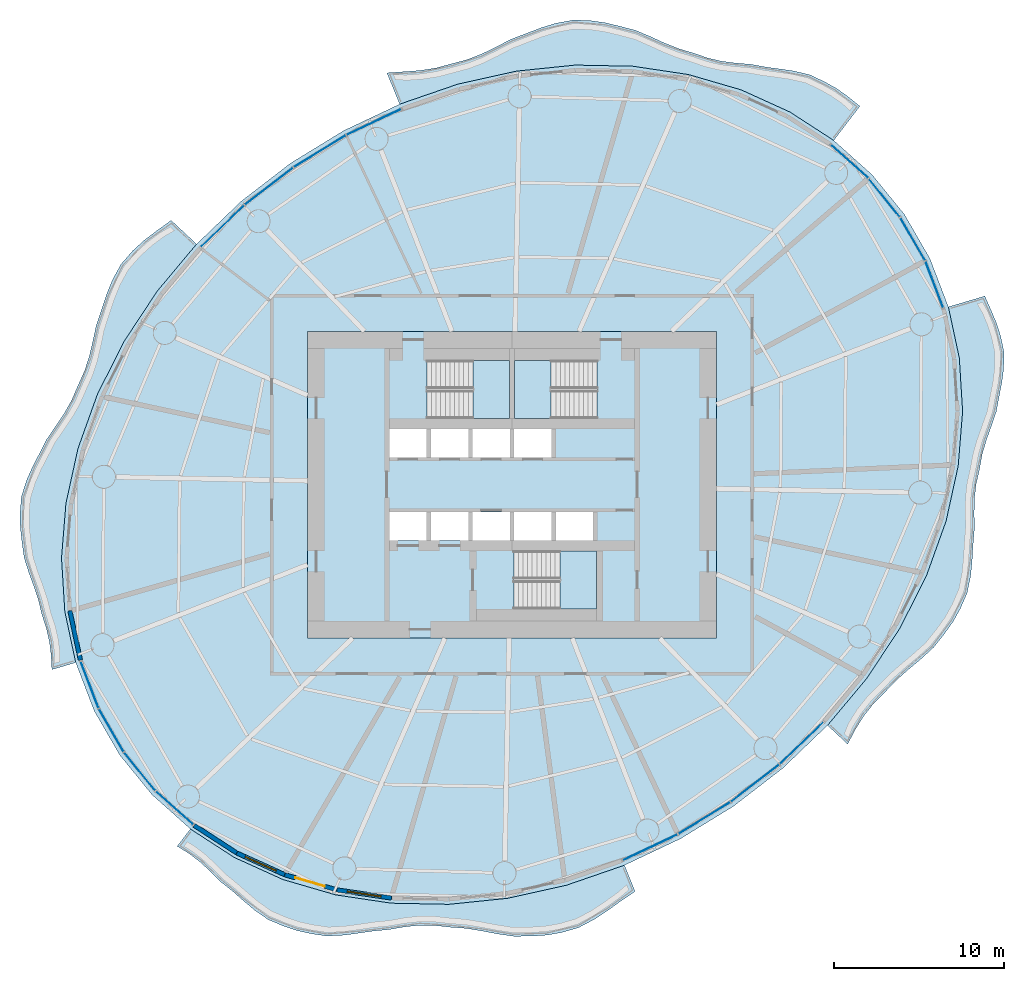
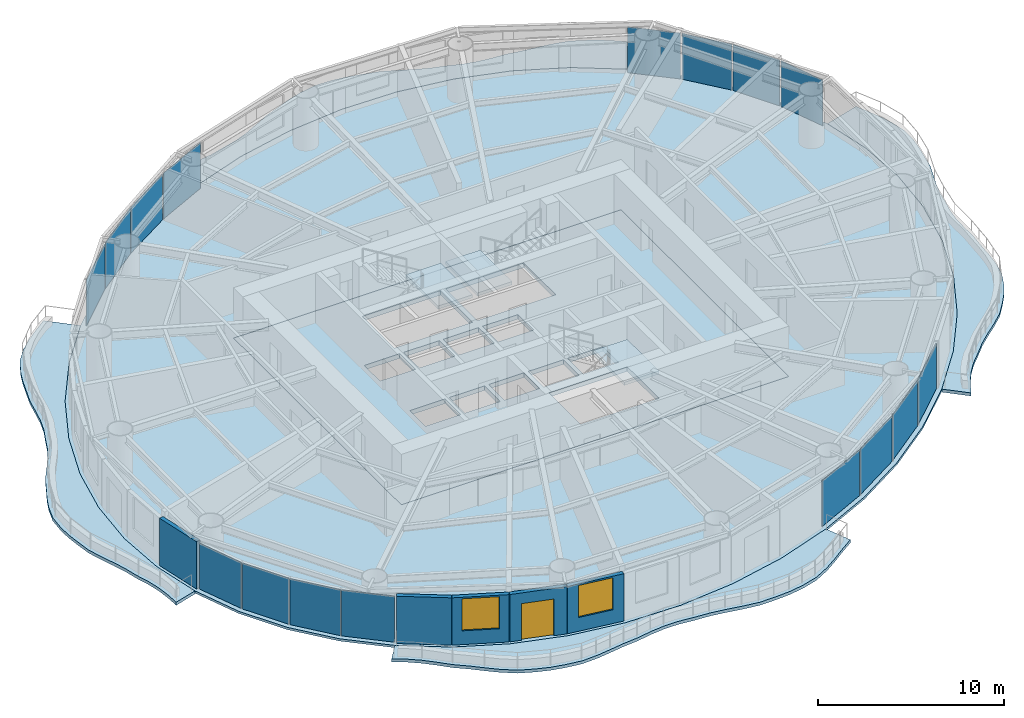
# One storey, part 7 of 14: 16 plates, 9 slabs, 5 walls, 2 windows, 1 door, 3 openings, 19 elements without a shape of their own.
"""IFC4 building model written with IfcOpenShell, lengths in metres."""

from ifc_helpers import new_model, si_unit, direction, frame, frame_2d, origin, origin_2d, place, context, subcontext, project, spatial, polyline, rectangle, outline, extrude, material, layer, layer_set, type_object, element, fill, aggregate, save


model = new_model("IFC4")

# Units and contexts
model_context = context("Model", 3, precision=1e-05, world=origin(), true_north=direction((0.0, 1.0)))
body_context = subcontext(model_context, "Body", "Model", "MODEL_VIEW")
ifc_project = project(units=[si_unit("LENGTHUNIT", "METRE"), si_unit("AREAUNIT", "SQUARE_METRE"), si_unit("VOLUMEUNIT", "CUBIC_METRE"), si_unit("PLANEANGLEUNIT", "RADIAN"), si_unit("MASSUNIT", "GRAM", prefix="KILO")], contexts=[model_context])

# Site, building, storey
site_placement = place(None, origin())
site = spatial("IfcSite", under=ifc_project, at=site_placement, CompositionType="ELEMENT")
building_placement = place(site_placement, origin())
building = spatial("IfcBuilding", under=site, at=building_placement, Name="Vermilion Reach Broadcast Tower", CompositionType="ELEMENT")
storey_placement = place(building_placement, frame((0.0, 0.0, 172.199951171875)))
storey = spatial("IfcBuildingStorey", under=building, at=storey_placement, Name="L41", CompositionType="ELEMENT", Elevation=172.199951171875)

# Slabs
ifc_material_1 = material(Name="Concrete C40/50", Category="concrete")
ifc_layer_1 = layer(ifc_material_1, 0.199951171875)
ifc_layer_set_1 = layer_set([ifc_layer_1], Name="Balcony slab 200")
slab_type_1 = type_object("IfcSlabType", Name="Balcony slab 200", PredefinedType="FLOOR", material=ifc_layer_set_1)
placement_1 = place(storey_placement, frame((0.0, 0.0, -0.199951171875)))
element("IfcSlab", 1, at=placement_1, inside=storey, type_object=slab_type_1, Name="Balcony slab L41 group 1", PredefinedType="FLOOR", context=body_context, shape_type="SweptSolid", body=[
    extrude(outline(polyline([(12.88330078125, 20.2099609375), (10.304443359375, 21.880859375), (7.446533203125, 23.17724609375), (4.358642578125, 24.076904296875), (1.09375, 24.56494140625), (-2.292724609375, 24.63232421875), (-5.74267578125, 24.2783203125), (-9.197021484375, 23.509033203125), (-12.5966796875, 22.33740234375), (-13.345458984375, 24.176025390625), (-12.3046875, 24.249267578125), (-11.378662109375, 24.3212890625), (-10.475830078125, 24.4609375), (-9.537841796875, 24.714599609375), (-8.61376953125, 24.960205078125), (-7.77978515625, 25.285400390625), (-6.962646484375, 25.685791015625), (-6.046875, 26.1552734375), (-5.1005859375, 26.51513671875), (-4.261962890625, 26.834228515625), (-3.416748046875, 27.09130859375), (-2.40185546875, 27.279052734375), (-1.393798828125, 27.245361328125), (-0.54931640625, 27.123046875), (0.293701171875, 26.923095703125), (1.27099609375, 26.667724609375), (2.18408203125, 26.278076171875), (2.965087890625, 25.92041015625), (3.75244140625, 25.60498046875), (4.636474609375, 25.343505859375), (5.48046875, 25.05224609375), (6.26416015625, 24.8671875), (7.070068359375, 24.759033203125), (8.00390625, 24.681884765625), (8.914794921875, 24.5146484375), (9.727783203125, 24.40771484375), (10.535400390625, 24.288818359375), (11.494873046875, 24.057861328125), (12.361572265625, 23.643310546875), (13.0341796875, 23.2685546875), (13.66455078125, 22.82861328125), (14.41796875, 22.2197265625), (12.88330078125, 20.2099609375)])), origin(), (0.0, 0.0, 1.0), 0.199951171875),
])
element("IfcSlab", 2, at=placement_1, inside=storey, type_object=slab_type_1, Name="Balcony slab L41 group 2", PredefinedType="FLOOR", context=body_context, shape_type="SweptSolid", body=[
    extrude(outline(polyline([(-24.519287109375, 14.124755859375), (-26.82568359375, 11.365966796875), (-28.775634765625, 8.412841796875), (-30.3359375, 5.3154296875), (-31.47998046875, 2.12744140625), (-32.187744140625, -1.09716796875), (-32.44775390625, -4.302978515625), (-32.2548828125, -7.43505859375), (-31.613037109375, -10.43994140625), (-33.013671875, -10.8544921875), (-33.06494140625, -9.964599609375), (-33.1611328125, -9.19970703125), (-33.3330078125, -8.450927734375), (-33.600341796875, -7.619140625), (-33.812255859375, -6.744873046875), (-34.06884765625, -5.974609375), (-34.351806640625, -5.2060546875), (-34.643798828125, -4.281494140625), (-34.77685546875, -3.307373046875), (-34.867431640625, -2.493408203125), (-34.88427734375, -1.685302734375), (-34.802978515625, -0.7060546875), (-34.50048828125, 0.255615234375), (-34.161376953125, 1.026123046875), (-33.76806640625, 1.78466796875), (-33.32177734375, 2.65771484375), (-32.759033203125, 3.486083984375), (-32.2744140625, 4.211669921875), (-31.852783203125, 4.960205078125), (-31.4873046875, 5.809814453125), (-31.097900390625, 6.670166015625), (-30.826171875, 7.504150390625), (-30.62109375, 8.37158203125), (-30.406982421875, 9.35791015625), (-30.081787109375, 10.33544921875), (-29.79296875, 11.204833984375), (-29.450439453125, 12.038818359375), (-28.950439453125, 12.94775390625), (-28.262939453125, 13.7392578125), (-27.5927734375, 14.3505859375), (-26.85791015625, 14.907958984375), (-26.010986328125, 15.517578125), (-24.519287109375, 14.124755859375)])), origin(), (0.0, 0.0, 1.0), 0.199951171875),
])
element("IfcSlab", 3, at=placement_1, inside=storey, type_object=slab_type_1, Name="Balcony slab L41 group 3", PredefinedType="FLOOR", context=body_context, shape_type="SweptSolid", body=[
    extrude(outline(polyline([(-24.88330078125, -20.2099609375), (-22.304443359375, -21.880859375), (-19.446533203125, -23.17724609375), (-16.358642578125, -24.076904296875), (-13.09375, -24.56494140625), (-9.707275390625, -24.63232421875), (-6.25732421875, -24.2783203125), (-2.802978515625, -23.509033203125), (0.5966796875, -22.33740234375), (1.223876953125, -23.87744140625), (0.374267578125, -24.451171875), (-0.387939453125, -24.99853515625), (-1.162353515625, -25.5107421875), (-2.09814453125, -26.002197265625), (-3.090576171875, -26.287353515625), (-3.962890625, -26.4404296875), (-4.856201171875, -26.498779296875), (-5.8955078125, -26.510986328125), (-6.915283203125, -26.3603515625), (-7.804443359375, -26.1884765625), (-8.690673828125, -26.0458984375), (-9.65185546875, -25.973876953125), (-10.578857421875, -25.872314453125), (-11.42578125, -25.8662109375), (-12.2744140625, -25.951904296875), (-13.224365234375, -26.114013671875), (-14.1728515625, -26.203125), (-15.026123046875, -26.32861328125), (-15.8779296875, -26.44384765625), (-16.888916015625, -26.493896484375), (-17.857666015625, -26.346923828125), (-18.64404296875, -26.1708984375), (-19.40625, -25.912841796875), (-20.317138671875, -25.52734375), (-21.12060546875, -24.96826171875), (-21.743896484375, -24.443115234375), (-22.35986328125, -23.90234375), (-23.09130859375, -23.31982421875), (-23.736083984375, -22.677734375), (-24.308837890625, -22.149169921875), (-24.920166015625, -21.6796875), (-25.656005859375, -21.221923828125), (-24.88330078125, -20.2099609375)])), origin(), (0.0, 0.0, 1.0), 0.199951171875),
])
element("IfcSlab", 4, at=placement_1, inside=storey, type_object=slab_type_1, Name="Balcony slab L41 group 4", PredefinedType="FLOOR", context=body_context, shape_type="SweptSolid", body=[
    extrude(outline(polyline([(12.519287109375, -14.124755859375), (14.82568359375, -11.365966796875), (16.775634765625, -8.412841796875), (18.3359375, -5.3154296875), (19.47998046875, -2.12744140625), (20.187744140625, 1.09716796875), (20.44775390625, 4.302978515625), (20.2548828125, 7.43505859375), (19.613037109375, 10.43994140625), (21.751708984375, 11.072998046875), (22.140625, 10.1943359375), (22.442138671875, 9.473388671875), (22.677001953125, 8.738037109375), (22.877685546875, 7.7939453125), (22.85791015625, 6.809326171875), (22.75537109375, 6.016845703125), (22.599853515625, 5.221435546875), (22.423583984375, 4.28369140625), (22.106201171875, 3.36181640625), (21.8271484375, 2.57763671875), (21.600830078125, 1.789306640625), (21.4404296875, 0.90966796875), (21.24072265625, 0.02099609375), (21.146240234375, -0.80322265625), (21.12744140625, -1.64404296875), (21.140625, -2.60546875), (21.056884765625, -3.5927734375), (21.0068359375, -4.474609375), (20.921142578125, -5.343505859375), (20.719482421875, -6.3388671875), (20.31201171875, -7.28173828125), (19.887451171875, -8.038818359375), (19.379638671875, -8.753662109375), (18.7451171875, -9.5537109375), (17.96923828125, -10.260986328125), (17.2587890625, -10.85205078125), (16.5732421875, -11.459716796875), (15.900146484375, -12.165771484375), (15.211669921875, -12.8603515625), (14.65234375, -13.564697265625), (14.171875, -14.33447265625), (13.6982421875, -15.2255859375), (12.519287109375, -14.124755859375)])), origin(), (0.0, 0.0, 1.0), 0.199951171875),
])
ifc_material_2 = material(Name="Concrete C40", Category="concrete")
ifc_layer_2 = layer(ifc_material_2, 0.300048828125)
ifc_layer_set_2 = layer_set([ifc_layer_2], Name="Core floor slab 300 mm Concrete C40")
slab_type_2 = type_object("IfcSlabType", Name="Core floor slab 300 mm Concrete C40", PredefinedType="FLOOR", material=ifc_layer_set_2)
slab_5_placement = place(storey_placement, frame((0.0, 0.0, -0.300048828125)))
element("IfcSlab", 5, at=slab_5_placement, inside=storey, type_object=slab_type_2, Name="L41 core floor", PredefinedType="FLOOR", context=body_context, shape_type="SweptSolid", body=[
    extrude(outline(polyline([(-18.0, -9.0), (6.0, -9.0), (6.0, 9.0), (-18.0, 9.0), (-18.0, -9.0)]), holes=[polyline([(-13.199951171875, 1.60009765625), (-11.00830078125, 1.60009765625), (-11.00830078125, 3.280029296875), (-13.199951171875, 3.280029296875), (-13.199951171875, 1.60009765625)]), polyline([(-10.75830078125, 1.60009765625), (-8.566650390625, 1.60009765625), (-8.566650390625, 3.280029296875), (-10.75830078125, 3.280029296875), (-10.75830078125, 1.60009765625)]), polyline([(-8.316650390625, 1.60009765625), (-6.125, 1.60009765625), (-6.125, 3.280029296875), (-8.316650390625, 3.280029296875), (-8.316650390625, 1.60009765625)]), polyline([(-5.875, 1.60009765625), (-3.683349609375, 1.60009765625), (-3.683349609375, 3.280029296875), (-5.875, 3.280029296875), (-5.875, 1.60009765625)]), polyline([(-13.199951171875, -3.280029296875), (-11.00830078125, -3.280029296875), (-11.00830078125, -1.60009765625), (-13.199951171875, -1.60009765625), (-13.199951171875, -3.280029296875)]), polyline([(-10.75830078125, -3.280029296875), (-8.566650390625, -3.280029296875), (-8.566650390625, -1.60009765625), (-10.75830078125, -1.60009765625), (-10.75830078125, -3.280029296875)]), polyline([(-8.316650390625, -3.280029296875), (-6.125, -3.280029296875), (-6.125, -1.60009765625), (-8.316650390625, -1.60009765625), (-8.316650390625, -3.280029296875)]), polyline([(-5.875, -3.280029296875), (-3.683349609375, -3.280029296875), (-3.683349609375, -1.60009765625), (-5.875, -1.60009765625), (-5.875, -3.280029296875)]), polyline([(-3.433349609375, -3.280029296875), (-1.24169921875, -3.280029296875), (-1.24169921875, -1.60009765625), (-3.433349609375, -1.60009765625), (-3.433349609375, -3.280029296875)]), polyline([(-10.999267578125, 3.8798828125), (-6.14990234375, 3.8798828125), (-6.14990234375, 7.300048828125), (-10.999267578125, 7.300048828125), (-10.999267578125, 3.8798828125)]), polyline([(-1.000732421875, 7.300048828125), (-5.85009765625, 7.300048828125), (-5.85009765625, 3.8798828125), (-1.000732421875, 3.8798828125), (-1.000732421875, 7.300048828125)]), polyline([(-5.8994140625, -7.300048828125), (-1.050048828125, -7.300048828125), (-1.050048828125, -3.8798828125), (-5.8994140625, -3.8798828125), (-5.8994140625, -7.300048828125)])]), origin(), (0.0, 0.0, 1.0), 0.300048828125),
])

# Stair, slab
ifc_material_3 = material(Name="Concrete C40", Category="concrete")
stair_type = type_object("IfcStairType", Name="Exit stair RC 22 risers 164 mm", PredefinedType="HALF_TURN_STAIR", material=ifc_material_3)
placement_2 = place(storey_placement, origin())
stair_1 = element("IfcStair", 6, at=placement_2, inside=storey, type_object=stair_type, Name="L41 Exit stair ST1", PredefinedType="HALF_TURN_STAIR")
ifc_material_4 = material(Name="Concrete C40", Category="concrete")
ifc_layer_3 = layer(ifc_material_4, 0.199951171875)
ifc_layer_set_3 = layer_set([ifc_layer_3], Name="Exit stair landing Concrete C40")
slab_type_3 = type_object("IfcSlabType", Name="Exit stair landing Concrete C40", PredefinedType="LANDING", material=ifc_layer_set_3)
placement_3 = place(storey_placement, frame((0.0, 0.0, 1.60009765625)))
slab_6 = element("IfcSlab", 7, at=placement_3, type_object=slab_type_3, Name="ST1 landing 1", PredefinedType="LANDING", context=body_context, shape_type="SweptSolid", body=[
    extrude(outline(polyline([(-8.300048828125, 3.8798828125), (-6.14990234375, 3.8798828125), (-6.14990234375, 7.300048828125), (-8.300048828125, 7.300048828125), (-8.300048828125, 3.8798828125)])), origin(), (0.0, 0.0, 1.0), 0.199951171875),
])
aggregate(stair_1, [slab_6])

stair_2 = element("IfcStair", 8, at=placement_2, inside=storey, type_object=stair_type, Name="L41 Exit stair ST2", PredefinedType="HALF_TURN_STAIR")
slab_7 = element("IfcSlab", 9, at=placement_3, type_object=slab_type_3, Name="ST2 landing 1", PredefinedType="LANDING", context=body_context, shape_type="SweptSolid", body=[
    extrude(outline(polyline([(-3.699951171875, 7.300048828125), (-5.85009765625, 7.300048828125), (-5.85009765625, 3.8798828125), (-3.699951171875, 3.8798828125), (-3.699951171875, 7.300048828125)])), origin(), (0.0, 0.0, 1.0), 0.199951171875),
])
aggregate(stair_2, [slab_7])

stair_3 = element("IfcStair", 10, at=placement_2, inside=storey, type_object=stair_type, Name="L41 Exit stair ST3", PredefinedType="HALF_TURN_STAIR")
slab_8 = element("IfcSlab", 11, at=placement_3, type_object=slab_type_3, Name="ST3 landing 1", PredefinedType="LANDING", context=body_context, shape_type="SweptSolid", body=[
    extrude(outline(polyline([(-3.199951171875, -7.300048828125), (-1.050048828125, -7.300048828125), (-1.050048828125, -3.8798828125), (-3.199951171875, -3.8798828125), (-3.199951171875, -7.300048828125)])), origin(), (0.0, 0.0, 1.0), 0.199951171875),
])
aggregate(stair_3, [slab_8])

# Slab
ifc_material_5 = material(Name="Concrete C40", Category="concrete")
ifc_layer_4 = layer(ifc_material_5, 0.14990234375)
ifc_layer_set_4 = layer_set([ifc_layer_4], Name="Floor slab Concrete C40 composite 150")
slab_type_4 = type_object("IfcSlabType", Name="Floor slab Concrete C40 composite 150", PredefinedType="FLOOR", material=ifc_layer_set_4)
slab_9_placement = place(storey_placement, frame((0.0, 0.0, -0.14990234375)))
element("IfcSlab", 12, at=slab_9_placement, inside=storey, type_object=slab_type_4, Name="Floor slab L41", PredefinedType="FLOOR", context=body_context, shape_type="SweptSolid", body=[
    extrude(outline(polyline([(17.032958984375, 15.86572265625), (15.138916015625, 18.193603515625), (12.88330078125, 20.2099609375), (10.304443359375, 21.880859375), (7.446533203125, 23.17724609375), (4.358642578125, 24.076904296875), (1.09375, 24.56494140625), (-2.292724609375, 24.63232421875), (-5.74267578125, 24.2783203125), (-9.197021484375, 23.509033203125), (-12.5966796875, 22.33740234375), (-15.88330078125, 20.78369140625), (-19.0009765625, 18.874267578125), (-21.896240234375, 16.641845703125), (-24.519287109375, 14.124755859375), (-26.82568359375, 11.365966796875), (-28.775634765625, 8.412841796875), (-30.3359375, 5.3154296875), (-31.47998046875, 2.12744140625), (-32.187744140625, -1.09716796875), (-32.44775390625, -4.302978515625), (-32.2548828125, -7.43505859375), (-31.613037109375, -10.43994140625), (-30.532958984375, -13.266357421875), (-29.032958984375, -15.86572265625), (-27.138916015625, -18.193603515625), (-24.88330078125, -20.2099609375), (-22.304443359375, -21.880859375), (-19.446533203125, -23.17724609375), (-16.358642578125, -24.076904296875), (-13.09375, -24.56494140625), (-9.707275390625, -24.63232421875), (-6.25732421875, -24.2783203125), (-2.802978515625, -23.509033203125), (0.5966796875, -22.33740234375), (3.88330078125, -20.78369140625), (7.0009765625, -18.874267578125), (9.896240234375, -16.641845703125), (12.519287109375, -14.124755859375), (14.82568359375, -11.365966796875), (16.775634765625, -8.412841796875), (18.3359375, -5.3154296875), (19.47998046875, -2.12744140625), (20.187744140625, 1.09716796875), (20.44775390625, 4.302978515625), (20.2548828125, 7.43505859375), (19.613037109375, 10.43994140625), (18.532958984375, 13.266357421875), (17.032958984375, 15.86572265625)]), holes=[polyline([(-18.0, -9.0), (6.0, -9.0), (6.0, 9.0), (-18.0, 9.0), (-18.0, -9.0)])]), origin(), (0.0, 0.0, 1.0), 0.14990234375),
])

# Curtain wall, plate
ifc_material_6 = material(Name="Low-e laminated clear glass in aluminium frame", Category="aluminium")
curtain_wall_type = type_object("IfcCurtainWallType", Name="Slot curtain wall", PredefinedType="NOTDEFINED", material=ifc_material_6)
curtain_wall_1 = element("IfcCurtainWall", 13, at=placement_2, inside=storey, type_object=curtain_wall_type, Name="Slot curtain wall L41 46", PredefinedType="NOTDEFINED")
ifc_material_7 = material(Name="Low-e laminated clear glass", Category="glass")
ifc_layer_5 = layer(ifc_material_7, 0.028076171875)
ifc_layer_set_5 = layer_set([ifc_layer_5], Name="Slot glass panel")
plate_type = type_object("IfcPlateType", Name="Slot glass panel", PredefinedType="CURTAIN_PANEL", material=ifc_layer_set_5)
plate_1_placement = place(storey_placement, frame((18.793701171875, 11.746337890625, 0.0), z_axis=(0.0, 0.0, 1.0), x_axis=(-0.356990324616, 0.934108081611, 0.0)))
plate_1 = element("IfcPlate", 14, at=plate_1_placement, type_object=plate_type, Name="Slot glass panel L41 46", PredefinedType="CURTAIN_PANEL", context=body_context, shape_type="SweptSolid", body=[
    extrude(rectangle(XDim=2.898681640625, YDim=0.028076171875, at=origin_2d()), origin(), (0.0, 0.0, 1.0), 3.0),
])
aggregate(curtain_wall_1, [plate_1])

curtain_wall_2 = element("IfcCurtainWall", 15, at=placement_2, inside=storey, type_object=curtain_wall_type, Name="Slot curtain wall L41 47", PredefinedType="NOTDEFINED")
plate_2_placement = place(storey_placement, frame((17.52392578125, 14.41650390625, 0.0), z_axis=(0.0, 0.0, 1.0), x_axis=(-0.499799808945, 0.866140953297, 0.0)))
plate_2 = element("IfcPlate", 16, at=plate_2_placement, type_object=plate_type, Name="Slot glass panel L41 47", PredefinedType="CURTAIN_PANEL", context=body_context, shape_type="SweptSolid", body=[
    extrude(rectangle(XDim=2.873291015625, YDim=0.028076171875, at=origin_2d()), origin(), (0.0, 0.0, 1.0), 3.0),
])
aggregate(curtain_wall_2, [plate_2])

curtain_wall_3 = element("IfcCurtainWall", 17, at=placement_2, inside=storey, type_object=curtain_wall_type, Name="Slot curtain wall L41 00", PredefinedType="NOTDEFINED")
plate_3_placement = place(storey_placement, frame((15.85400390625, 16.8408203125, 0.0), z_axis=(0.0, 0.0, 1.0), x_axis=(-0.63112595777, 0.775680362926, 0.0)))
plate_3 = element("IfcPlate", 18, at=plate_3_placement, type_object=plate_type, Name="Slot glass panel L41 00", PredefinedType="CURTAIN_PANEL", context=body_context, shape_type="SweptSolid", body=[
    extrude(rectangle(XDim=2.873291015625, YDim=0.028076171875, at=origin_2d()), origin(), (0.0, 0.0, 1.0), 3.0),
])
aggregate(curtain_wall_3, [plate_3])

curtain_wall_4 = element("IfcCurtainWall", 19, at=placement_2, inside=storey, type_object=curtain_wall_type, Name="Slot curtain wall L41 01", PredefinedType="NOTDEFINED")
plate_4_placement = place(storey_placement, frame((13.811767578125, 18.97900390625, 0.0), z_axis=(0.0, 0.0, 1.0), x_axis=(-0.74552877126, 0.666473443749, 0.0)))
plate_4 = element("IfcPlate", 20, at=plate_4_placement, type_object=plate_type, Name="Slot glass panel L41 01", PredefinedType="CURTAIN_PANEL", context=body_context, shape_type="SweptSolid", body=[
    extrude(rectangle(XDim=2.898681640625, YDim=0.028076171875, at=origin_2d()), origin(), (0.0, 0.0, 1.0), 3.0),
])
aggregate(curtain_wall_4, [plate_4])

curtain_wall_5 = element("IfcCurtainWall", 21, at=placement_2, inside=storey, type_object=curtain_wall_type, Name="Slot curtain wall L41 10", PredefinedType="NOTDEFINED")
plate_5_placement = place(storey_placement, frame((-14.112060546875, 21.289794921875, 0.0), z_axis=(0.0, 0.0, 1.0), x_axis=(-0.904064244701, -0.427396585683, 0.0)))
plate_5 = element("IfcPlate", 22, at=plate_5_placement, type_object=plate_type, Name="Slot glass panel L41 10", PredefinedType="CURTAIN_PANEL", context=body_context, shape_type="SweptSolid", body=[
    extrude(rectangle(XDim=3.52294921875, YDim=0.028076171875, at=origin_2d()), origin(), (0.0, 0.0, 1.0), 3.0),
])
aggregate(curtain_wall_5, [plate_5])

curtain_wall_6 = element("IfcCurtainWall", 23, at=placement_2, inside=storey, type_object=curtain_wall_type, Name="Slot curtain wall L41 11", PredefinedType="NOTDEFINED")
plate_6_placement = place(storey_placement, frame((-17.285888671875, 19.573486328125, 0.0), z_axis=(0.0, 0.0, 1.0), x_axis=(-0.852770822103, -0.522285290785, 0.0)))
plate_6 = element("IfcPlate", 24, at=plate_6_placement, type_object=plate_type, Name="Slot glass panel L41 11", PredefinedType="CURTAIN_PANEL", context=body_context, shape_type="SweptSolid", body=[
    extrude(rectangle(XDim=3.543701171875, YDim=0.028076171875, at=origin_2d()), origin(), (0.0, 0.0, 1.0), 3.0),
])
aggregate(curtain_wall_6, [plate_6])

curtain_wall_7 = element("IfcCurtainWall", 25, at=placement_2, inside=storey, type_object=curtain_wall_type, Name="Slot curtain wall L41 12", PredefinedType="NOTDEFINED")
plate_7_placement = place(storey_placement, frame((-20.265625, 17.520751953125, 0.0), z_axis=(0.0, 0.0, 1.0), x_axis=(-0.791923872526, -0.610619832731, 0.0)))
plate_7 = element("IfcPlate", 26, at=plate_7_placement, type_object=plate_type, Name="Slot glass panel L41 12", PredefinedType="CURTAIN_PANEL", context=body_context, shape_type="SweptSolid", body=[
    extrude(rectangle(XDim=3.543701171875, YDim=0.028076171875, at=origin_2d()), origin(), (0.0, 0.0, 1.0), 3.0),
])
aggregate(curtain_wall_7, [plate_7])

curtain_wall_8 = element("IfcCurtainWall", 27, at=placement_2, inside=storey, type_object=curtain_wall_type, Name="Slot curtain wall L41 13", PredefinedType="NOTDEFINED")
plate_8_placement = place(storey_placement, frame((-23.000244140625, 15.167236328125, 0.0), z_axis=(0.0, 0.0, 1.0), x_axis=(-0.721548369637, -0.692364030171, 0.0)))
plate_8 = element("IfcPlate", 28, at=plate_8_placement, type_object=plate_type, Name="Slot glass panel L41 13", PredefinedType="CURTAIN_PANEL", context=body_context, shape_type="SweptSolid", body=[
    extrude(rectangle(XDim=3.52294921875, YDim=0.028076171875, at=origin_2d()), origin(), (0.0, 0.0, 1.0), 3.0),
])
aggregate(curtain_wall_8, [plate_8])

curtain_wall_9 = element("IfcCurtainWall", 29, at=placement_2, inside=storey, type_object=curtain_wall_type, Name="Slot curtain wall L41 22", PredefinedType="NOTDEFINED")
plate_9_placement = place(storey_placement, frame((-30.793701171875, -11.746337890625, 0.0), z_axis=(0.0, 0.0, 1.0), x_axis=(0.356990324616, -0.934108081611, 0.0)))
plate_9 = element("IfcPlate", 30, at=plate_9_placement, type_object=plate_type, Name="Slot glass panel L41 22", PredefinedType="CURTAIN_PANEL", context=body_context, shape_type="SweptSolid", body=[
    extrude(rectangle(XDim=2.898681640625, YDim=0.028076171875, at=origin_2d()), origin(), (0.0, 0.0, 1.0), 3.0),
])
aggregate(curtain_wall_9, [plate_9])

curtain_wall_10 = element("IfcCurtainWall", 31, at=placement_2, inside=storey, type_object=curtain_wall_type, Name="Slot curtain wall L41 23", PredefinedType="NOTDEFINED")
plate_10_placement = place(storey_placement, frame((-29.52392578125, -14.41650390625, 0.0), z_axis=(0.0, 0.0, 1.0), x_axis=(0.499799808945, -0.866140953297, 0.0)))
plate_10 = element("IfcPlate", 32, at=plate_10_placement, type_object=plate_type, Name="Slot glass panel L41 23", PredefinedType="CURTAIN_PANEL", context=body_context, shape_type="SweptSolid", body=[
    extrude(rectangle(XDim=2.873291015625, YDim=0.028076171875, at=origin_2d()), origin(), (0.0, 0.0, 1.0), 3.0),
])
aggregate(curtain_wall_10, [plate_10])

curtain_wall_11 = element("IfcCurtainWall", 33, at=placement_2, inside=storey, type_object=curtain_wall_type, Name="Slot curtain wall L41 24", PredefinedType="NOTDEFINED")
plate_11_placement = place(storey_placement, frame((-27.85400390625, -16.8408203125, 0.0), z_axis=(0.0, 0.0, 1.0), x_axis=(0.63112595777, -0.775680362926, 0.0)))
plate_11 = element("IfcPlate", 34, at=plate_11_placement, type_object=plate_type, Name="Slot glass panel L41 24", PredefinedType="CURTAIN_PANEL", context=body_context, shape_type="SweptSolid", body=[
    extrude(rectangle(XDim=2.873291015625, YDim=0.028076171875, at=origin_2d()), origin(), (0.0, 0.0, 1.0), 3.0),
])
aggregate(curtain_wall_11, [plate_11])

curtain_wall_12 = element("IfcCurtainWall", 35, at=placement_2, inside=storey, type_object=curtain_wall_type, Name="Slot curtain wall L41 25", PredefinedType="NOTDEFINED")
plate_12_placement = place(storey_placement, frame((-25.811767578125, -18.97900390625, 0.0), z_axis=(0.0, 0.0, 1.0), x_axis=(0.74552877126, -0.666473443749, 0.0)))
plate_12 = element("IfcPlate", 36, at=plate_12_placement, type_object=plate_type, Name="Slot glass panel L41 25", PredefinedType="CURTAIN_PANEL", context=body_context, shape_type="SweptSolid", body=[
    extrude(rectangle(XDim=2.898681640625, YDim=0.028076171875, at=origin_2d()), origin(), (0.0, 0.0, 1.0), 3.0),
])
aggregate(curtain_wall_12, [plate_12])

curtain_wall_13 = element("IfcCurtainWall", 37, at=placement_2, inside=storey, type_object=curtain_wall_type, Name="Slot curtain wall L41 34", PredefinedType="NOTDEFINED")
plate_13_placement = place(storey_placement, frame((2.112060546875, -21.289794921875, 0.0), z_axis=(0.0, 0.0, 1.0), x_axis=(0.904064244701, 0.427396585683, 0.0)))
plate_13 = element("IfcPlate", 38, at=plate_13_placement, type_object=plate_type, Name="Slot glass panel L41 34", PredefinedType="CURTAIN_PANEL", context=body_context, shape_type="SweptSolid", body=[
    extrude(rectangle(XDim=3.52294921875, YDim=0.028076171875, at=origin_2d()), origin(), (0.0, 0.0, 1.0), 3.0),
])
aggregate(curtain_wall_13, [plate_13])

curtain_wall_14 = element("IfcCurtainWall", 39, at=placement_2, inside=storey, type_object=curtain_wall_type, Name="Slot curtain wall L41 35", PredefinedType="NOTDEFINED")
plate_14_placement = place(storey_placement, frame((5.285888671875, -19.573486328125, 0.0), z_axis=(0.0, 0.0, 1.0), x_axis=(0.852770822103, 0.522285290785, 0.0)))
plate_14 = element("IfcPlate", 40, at=plate_14_placement, type_object=plate_type, Name="Slot glass panel L41 35", PredefinedType="CURTAIN_PANEL", context=body_context, shape_type="SweptSolid", body=[
    extrude(rectangle(XDim=3.543701171875, YDim=0.028076171875, at=origin_2d()), origin(), (0.0, 0.0, 1.0), 3.0),
])
aggregate(curtain_wall_14, [plate_14])

curtain_wall_15 = element("IfcCurtainWall", 41, at=placement_2, inside=storey, type_object=curtain_wall_type, Name="Slot curtain wall L41 36", PredefinedType="NOTDEFINED")
plate_15_placement = place(storey_placement, frame((8.265625, -17.520751953125, 0.0), z_axis=(0.0, 0.0, 1.0), x_axis=(0.791923872526, 0.610619832731, 0.0)))
plate_15 = element("IfcPlate", 42, at=plate_15_placement, type_object=plate_type, Name="Slot glass panel L41 36", PredefinedType="CURTAIN_PANEL", context=body_context, shape_type="SweptSolid", body=[
    extrude(rectangle(XDim=3.543701171875, YDim=0.028076171875, at=origin_2d()), origin(), (0.0, 0.0, 1.0), 3.0),
])
aggregate(curtain_wall_15, [plate_15])

curtain_wall_16 = element("IfcCurtainWall", 43, at=placement_2, inside=storey, type_object=curtain_wall_type, Name="Slot curtain wall L41 37", PredefinedType="NOTDEFINED")
plate_16_placement = place(storey_placement, frame((11.000244140625, -15.167236328125, 0.0), z_axis=(0.0, 0.0, 1.0), x_axis=(0.721548369637, 0.692364030171, 0.0)))
plate_16 = element("IfcPlate", 44, at=plate_16_placement, type_object=plate_type, Name="Slot glass panel L41 37", PredefinedType="CURTAIN_PANEL", context=body_context, shape_type="SweptSolid", body=[
    extrude(rectangle(XDim=3.52294921875, YDim=0.028076171875, at=origin_2d()), origin(), (0.0, 0.0, 1.0), 3.0),
])
aggregate(curtain_wall_16, [plate_16])

# Walls
ifc_material_8 = material(Name="Terracotta rainscreen cladding", Category="masonry")
ifc_layer_6 = layer(ifc_material_8, 0.25)
ifc_layer_set_6 = layer_set([ifc_layer_6], Name="Terracotta rainscreen wall 250")
wall_type = type_object("IfcWallType", Name="Terracotta rainscreen wall 250", PredefinedType="SOLIDWALL", material=ifc_layer_set_6)
for number, where, z_axis, x_axis, name in (
    (45, (-31.954833984375, -7.40771484375, 0.0), (0.0, 0.0, 1.0), (0.208841558972, -0.977949489108, 0.0), "External wall L41 21"),
    (46, (-24.655029296875, -20.00146484375, 0.0), (0.0, 0.0, 1.0), (0.839240151474, -0.543760947617, 0.0), "External wall L41 26"),
):
    element("IfcWall", number, at=place(storey_placement, frame(where, z_axis=z_axis, x_axis=x_axis)), inside=storey, type_object=wall_type, Name=name, PredefinedType="SOLIDWALL", context=body_context, shape_type="SweptSolid", body=[
        extrude(rectangle(XDim=2.958740234375, YDim=0.25, at=frame_2d((1.4794921875, 0.0))), origin(), (0.0, 0.0, 1.0), 3.10009765625),
    ])

# Wall, opening, window
wall_1_placement = place(storey_placement, frame((-22.1484375, -21.623046875, 0.0), z_axis=(0.0, 0.0, 1.0), x_axis=(0.910690505436, -0.41308934059, 0.0)))
wall_1 = element("IfcWall", 47, at=wall_1_placement, inside=storey, type_object=wall_type, Name="External wall L41 27", PredefinedType="SOLIDWALL", context=body_context, shape_type="SweptSolid", body=[
    extrude(rectangle(XDim=3.06787109375, YDim=0.25, at=frame_2d((1.533935546875, 0.0))), origin(), (0.0, 0.0, 1.0), 3.10009765625),
])
opening_1_placement = place(wall_1_placement, frame((0.5341796875, 0.0, 0.89990234375)))
opening_1 = element("IfcOpeningElement", 48, at=opening_1_placement, cuts=wall_1, Name="Opening W03", PredefinedType="OPENING", context=body_context, shape_type="SweptSolid", body=[
    extrude(rectangle(XDim=2.0, YDim=2.10009765625, at=frame_2d((1.0, 1.050048828125))), frame((0.0, 0.135009765625, 0.0), z_axis=(0.0, -1.0, 0.0), x_axis=(1.0, 0.0, 0.0)), (0.0, 0.0, 1.0), 0.27001953125),
])
ifc_material_9 = material(Name="Low-e laminated clear glass in aluminium frame", Category="aluminium")
window_type = type_object("IfcWindowType", Name="Punched window 2000 x 2100 sill 900", PartitioningType="SINGLE_PANEL", PredefinedType="WINDOW", material=ifc_material_9)
window_1_placement = place(opening_1_placement, origin())
window_1 = element("IfcWindow", 49, at=window_1_placement, inside=storey, type_object=window_type, Name="Window L41 27", OverallHeight=2.10009765625, OverallWidth=2.0, PartitioningType="SINGLE_PANEL", PredefinedType="WINDOW", context=body_context, shape_type="SweptSolid", body=[
    extrude(rectangle(XDim=2.0, YDim=2.10009765625, at=frame_2d((1.0, 1.050048828125))), frame((0.0, 0.030029296875, 0.0), z_axis=(0.0, -1.0, 0.0), x_axis=(1.0, 0.0, 0.0)), (0.0, 0.0, 1.0), 0.06005859375),
])
fill(opening_1, window_1)

# Wall, opening, door
wall_2_placement = place(storey_placement, frame((-19.330322265625, -22.8994140625, 0.0), z_axis=(0.0, 0.0, 1.0), x_axis=(0.960068559705, -0.279764831003, 0.0)))
wall_2 = element("IfcWall", 50, at=wall_2_placement, inside=storey, type_object=wall_type, Name="External wall L41 28", PredefinedType="SOLIDWALL", context=body_context, shape_type="SweptSolid", body=[
    extrude(rectangle(XDim=3.1494140625, YDim=0.25, at=frame_2d((1.57470703125, 0.0))), origin(), (0.0, 0.0, 1.0), 3.10009765625),
])
opening_2_placement = place(wall_2_placement, frame((0.625, 0.0, 0.0)))
opening_2 = element("IfcOpeningElement", 51, at=opening_2_placement, cuts=wall_2, Name="Opening D70", PredefinedType="OPENING", context=body_context, shape_type="SweptSolid", body=[
    extrude(rectangle(XDim=1.800048828125, YDim=2.39990234375, at=frame_2d((0.89990234375, 1.199951171875))), frame((0.0, 0.135009765625, 0.0), z_axis=(0.0, -1.0, 0.0), x_axis=(1.0, 0.0, 0.0)), (0.0, 0.0, 1.0), 0.27001953125),
])
ifc_material_10 = material(Name="Low-e laminated clear glass in aluminium frame", Category="aluminium")
door_type = type_object("IfcDoorType", Name="Balcony sliding door 1800 x 2400", OperationType="DOUBLE_DOOR_SLIDING", PredefinedType="DOOR", material=ifc_material_10)
door_placement = place(opening_2_placement, origin())
door = element("IfcDoor", 52, at=door_placement, inside=storey, type_object=door_type, Name="Balcony door L41 run 07", OperationType="DOUBLE_DOOR_SLIDING", OverallHeight=2.39990234375, OverallWidth=1.800048828125, PredefinedType="DOOR", context=body_context, shape_type="SweptSolid", body=[
    extrude(rectangle(XDim=1.800048828125, YDim=2.39990234375, at=frame_2d((0.89990234375, 1.199951171875))), frame((0.0, 0.02490234375, 0.0), z_axis=(0.0, -1.0, 0.0), x_axis=(1.0, 0.0, 0.0)), (0.0, 0.0, 1.0), 0.050048828125),
])
fill(opening_2, door)

# Wall, opening, window
wall_3_placement = place(storey_placement, frame((-16.282470703125, -23.78564453125, 0.0), z_axis=(0.0, 0.0, 1.0), x_axis=(0.989016413264, -0.147805731605, 0.0)))
wall_3 = element("IfcWall", 53, at=wall_3_placement, inside=storey, type_object=wall_type, Name="External wall L41 29", PredefinedType="SOLIDWALL", context=body_context, shape_type="SweptSolid", body=[
    extrude(rectangle(XDim=3.237548828125, YDim=0.25, at=frame_2d((1.61865234375, 0.0))), origin(), (0.0, 0.0, 1.0), 3.10009765625),
])
opening_3_placement = place(wall_3_placement, frame((0.61865234375, 0.0, 0.89990234375)))
opening_3 = element("IfcOpeningElement", 54, at=opening_3_placement, cuts=wall_3, Name="Opening W03", PredefinedType="OPENING", context=body_context, shape_type="SweptSolid", body=[
    extrude(rectangle(XDim=2.0, YDim=2.10009765625, at=frame_2d((1.0, 1.050048828125))), frame((0.0, 0.135009765625, 0.0), z_axis=(0.0, -1.0, 0.0), x_axis=(1.0, 0.0, 0.0)), (0.0, 0.0, 1.0), 0.27001953125),
])
window_2_placement = place(opening_3_placement, origin())
window_2 = element("IfcWindow", 55, at=window_2_placement, inside=storey, type_object=window_type, Name="Window L41 29", OverallHeight=2.10009765625, OverallWidth=2.0, PartitioningType="SINGLE_PANEL", PredefinedType="WINDOW", context=body_context, shape_type="SweptSolid", body=[
    extrude(rectangle(XDim=2.0, YDim=2.10009765625, at=frame_2d((1.0, 1.050048828125))), frame((0.0, 0.030029296875, 0.0), z_axis=(0.0, -1.0, 0.0), x_axis=(1.0, 0.0, 0.0)), (0.0, 0.0, 1.0), 0.06005859375),
])
fill(opening_3, window_2)

save(model, "model.ifc")
